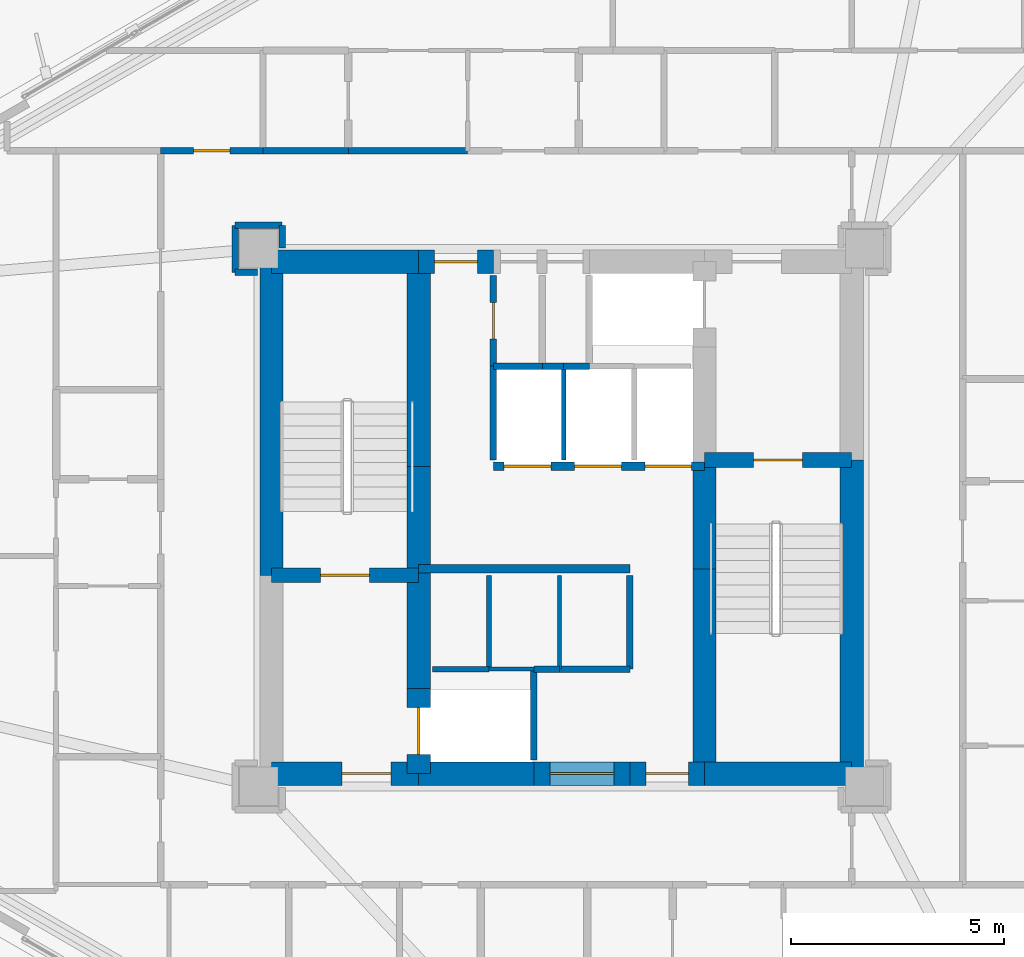
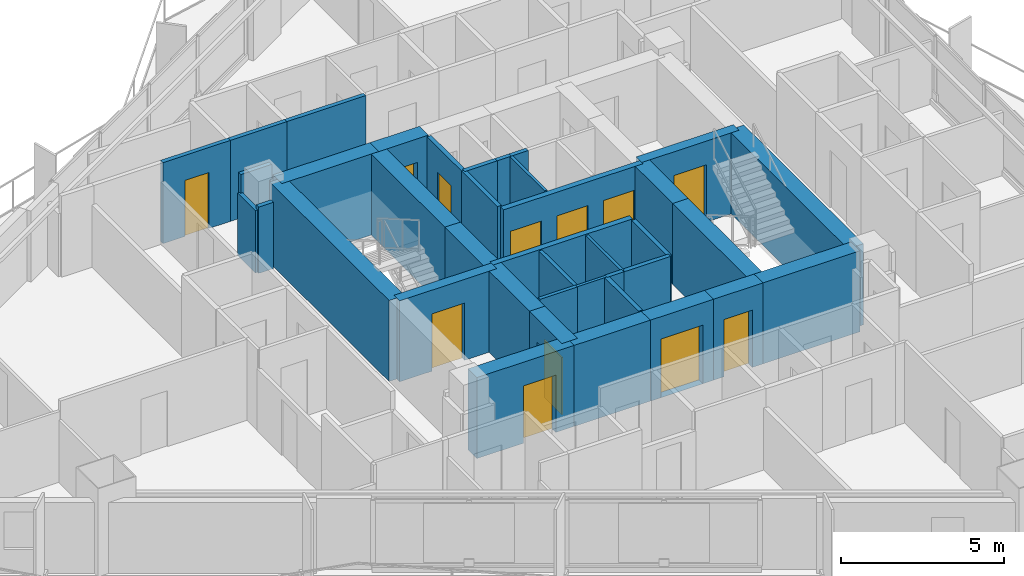
# One storey, part 14 of 19: 40 walls, 12 doors, 12 openings.
"""IFC4 building model written with IfcOpenShell, lengths in metres."""

from ifc_helpers import new_model, si_unit, direction, frame, frame_2d, origin, place, context, subcontext, project, spatial, rectangle, extrude, material, layer, layer_set, type_object, element, fill, save


model = new_model("IFC4")

# Units and contexts
model_context = context("Model", 3, precision=1e-05, world=origin(), true_north=direction((0.0, 1.0)))
body_context = subcontext(model_context, "Body", "Model", "MODEL_VIEW")
ifc_project = project(units=[si_unit("LENGTHUNIT", "METRE"), si_unit("AREAUNIT", "SQUARE_METRE"), si_unit("VOLUMEUNIT", "CUBIC_METRE"), si_unit("PLANEANGLEUNIT", "RADIAN"), si_unit("MASSUNIT", "GRAM", prefix="KILO")], contexts=[model_context])

# Site, building, storey
site_placement = place(None, origin())
site = spatial("IfcSite", under=ifc_project, at=site_placement, CompositionType="ELEMENT")
building_placement = place(site_placement, origin())
building = spatial("IfcBuilding", under=site, at=building_placement, Name="Mersakhor Tower and Convention Hall", CompositionType="ELEMENT")
storey_placement = place(building_placement, frame((0.0, 0.0, 22.5)))
storey = spatial("IfcBuildingStorey", under=building, at=storey_placement, Name="L05", CompositionType="ELEMENT", Elevation=22.5)

# Walls
ifc_material_1 = material(Name="Lightweight gypsum partition", Category="other")
ifc_layer_1 = layer(ifc_material_1, 0.10009765625)
ifc_layer_set_1 = layer_set([ifc_layer_1], Name="Lightweight gypsum partition")
wall_type_1 = type_object("IfcWallType", Name="WL-PRT-100", PredefinedType="PARTITIONING", material=ifc_layer_set_1)
wall_1_placement = place(storey_placement, frame((27.300048828125, 23.199951171875, 0.0), z_axis=(0.0, 0.0, 1.0), x_axis=(1.0, 0.0, 0.0)))
element("IfcWall", 1, at=wall_1_placement, inside=storey, type_object=wall_type_1, Name="L05 Interior Partition Wall P-002", PredefinedType="PARTITIONING", context=body_context, shape_type="SweptSolid", body=[
    extrude(rectangle(XDim=1.050048828125, YDim=0.10009765625, at=frame_2d((0.52490234375, 0.0))), origin(), (0.0, 0.0, 1.0), 3.0400390625),
])
for number, where, z_axis, x_axis, name in (
    (2, (28.949951171875, 25.39990234375, 0.0), (0.0, 0.0, 1.0), (0.0, -1.0, 0.0), "L05 Interior Partition Wall P-008"),
    (3, (29.050048828125, 30.300048828125, 0.0), (0.0, 0.0, 1.0), (0.0, -1.0, 0.0), "L05 Interior Partition Wall P-014"),
):
    element("IfcWall", number, at=place(storey_placement, frame(where, z_axis=z_axis, x_axis=x_axis)), inside=storey, type_object=wall_type_1, Name=name, PredefinedType="PARTITIONING", context=body_context, shape_type="SweptSolid", body=[
        extrude(rectangle(XDim=2.199951171875, YDim=0.10009765625, at=frame_2d((1.10009765625, 0.0))), origin(), (0.0, 0.0, 1.0), 3.0400390625),
    ])
ifc_material_2 = material(Name="Gypsum board acoustic partition", Category="other")
ifc_layer_2 = layer(ifc_material_2, 0.125)
ifc_layer_set_2 = layer_set([ifc_layer_2], Name="Gypsum board acoustic partition")
wall_type_2 = type_object("IfcWallType", Name="WL-PRT-125", PredefinedType="PARTITIONING", material=ifc_layer_set_2)
wall_2_placement = place(storey_placement, frame((25.97509765625, 23.199951171875, 0.0), z_axis=(0.0, 0.0, 1.0), x_axis=(1.0, 0.0, 0.0)))
element("IfcWall", 4, at=wall_2_placement, inside=storey, type_object=wall_type_2, Name="L05 Interior Partition Wall P-001", PredefinedType="PARTITIONING", context=body_context, shape_type="SweptSolid", body=[
    extrude(rectangle(XDim=1.324951171875, YDim=0.125, at=frame_2d((0.66259765625, 0.0))), origin(), (0.0, 0.0, 1.0), 3.0400390625),
])
wall_3_placement = place(storey_placement, frame((27.300048828125, 25.39990234375, 0.0), z_axis=(0.0, 0.0, 1.0), x_axis=(0.0, -1.0, 0.0)))
element("IfcWall", 5, at=wall_3_placement, inside=storey, type_object=wall_type_2, Name="L05 Interior Partition Wall P-007", PredefinedType="PARTITIONING", context=body_context, shape_type="SweptSolid", body=[
    extrude(rectangle(XDim=2.199951171875, YDim=0.125, at=frame_2d((1.10009765625, 0.0))), origin(), (0.0, 0.0, 1.0), 3.0400390625),
])
ifc_material_3 = material(Name="Fire-rated gypsum board stud partition", Category="other")
ifc_layer_3 = layer(ifc_material_3, 0.14990234375)
ifc_layer_set_3 = layer_set([ifc_layer_3], Name="Fire-rated gypsum board stud partition")
wall_type_3 = type_object("IfcWallType", Name="WL-PRT-150", PredefinedType="PARTITIONING", material=ifc_layer_set_3)
wall_4_placement = place(storey_placement, frame((28.35009765625, 23.199951171875, 0.0), z_axis=(0.0, 0.0, 1.0), x_axis=(0.0, -1.0, 0.0)))
element("IfcWall", 6, at=wall_4_placement, inside=storey, type_object=wall_type_3, Name="L05 Interior Partition Wall P-003", PredefinedType="PARTITIONING", context=body_context, shape_type="SweptSolid", body=[
    extrude(rectangle(XDim=2.125, YDim=0.14990234375, at=frame_2d((1.0625, 0.0))), origin(), (0.0, 0.0, 1.0), 3.0400390625),
])
wall_5_placement = place(storey_placement, frame((28.949951171875, 23.199951171875, 0.0), z_axis=(0.0, 0.0, 1.0), x_axis=(-1.0, 0.0, 0.0)))
element("IfcWall", 7, at=wall_5_placement, inside=storey, type_object=wall_type_3, Name="L05 Interior Partition Wall P-009", PredefinedType="PARTITIONING", context=body_context, shape_type="SweptSolid", body=[
    extrude(rectangle(XDim=0.599853515625, YDim=0.14990234375, at=frame_2d((0.2998046875, 0.0))), origin(), (0.0, 0.0, 1.0), 3.0400390625),
])
wall_6_placement = place(storey_placement, frame((30.60009765625, 25.39990234375, 0.0), z_axis=(0.0, 0.0, 1.0), x_axis=(0.0, -1.0, 0.0)))
element("IfcWall", 8, at=wall_6_placement, inside=storey, type_object=wall_type_3, Name="L05 Interior Partition Wall P-010", PredefinedType="PARTITIONING", context=body_context, shape_type="SweptSolid", body=[
    extrude(rectangle(XDim=2.199951171875, YDim=0.14990234375, at=frame_2d((1.10009765625, 0.0))), origin(), (0.0, 0.0, 1.0), 3.0400390625),
])
wall_7_placement = place(storey_placement, frame((30.60009765625, 23.199951171875, 0.0), z_axis=(0.0, 0.0, 1.0), x_axis=(-1.0, 0.0, 0.0)))
element("IfcWall", 9, at=wall_7_placement, inside=storey, type_object=wall_type_3, Name="L05 Interior Partition Wall P-011", PredefinedType="PARTITIONING", context=body_context, shape_type="SweptSolid", body=[
    extrude(rectangle(XDim=1.650146484375, YDim=0.14990234375, at=frame_2d((0.8251953125, 0.0))), origin(), (0.0, 0.0, 1.0), 3.0400390625),
])
wall_8_placement = place(storey_placement, frame((27.39990234375, 30.300048828125, 0.0), z_axis=(0.0, 0.0, 1.0), x_axis=(1.0, 0.0, 0.0)))
element("IfcWall", 10, at=wall_8_placement, inside=storey, type_object=wall_type_3, Name="L05 Interior Partition Wall P-012", PredefinedType="PARTITIONING", context=body_context, shape_type="SweptSolid", body=[
    extrude(rectangle(XDim=1.150146484375, YDim=0.14990234375, at=frame_2d((0.5751953125, 0.0))), origin(), (0.0, 0.0, 1.0), 3.0400390625),
])
wall_9_placement = place(storey_placement, frame((28.550048828125, 30.300048828125, 0.0), z_axis=(0.0, 0.0, 1.0), x_axis=(1.0, 0.0, 0.0)))
element("IfcWall", 11, at=wall_9_placement, inside=storey, type_object=wall_type_3, Name="L05 Interior Partition Wall P-013", PredefinedType="PARTITIONING", context=body_context, shape_type="SweptSolid", body=[
    extrude(rectangle(XDim=0.5, YDim=0.14990234375, at=frame_2d((0.25, 0.0))), origin(), (0.0, 0.0, 1.0), 3.0400390625),
])
wall_10_placement = place(storey_placement, frame((27.39990234375, 28.10009765625, 0.0), z_axis=(0.0, 0.0, 1.0), x_axis=(0.0, 1.0, 0.0)))
element("IfcWall", 12, at=wall_10_placement, inside=storey, type_object=wall_type_3, Name="L05 Interior Partition Wall P-015", PredefinedType="PARTITIONING", context=body_context, shape_type="SweptSolid", body=[
    extrude(rectangle(XDim=2.199951171875, YDim=0.14990234375, at=frame_2d((1.10009765625, 0.0))), origin(), (0.0, 0.0, 1.0), 3.0400390625),
])
wall_11_placement = place(storey_placement, frame((29.050048828125, 30.300048828125, 0.0), z_axis=(0.0, 0.0, 1.0), x_axis=(1.0, 0.0, 0.0)))
element("IfcWall", 13, at=wall_11_placement, inside=storey, type_object=wall_type_3, Name="L05 Interior Partition Wall P-016", PredefinedType="PARTITIONING", context=body_context, shape_type="SweptSolid", body=[
    extrude(rectangle(XDim=0.599853515625, YDim=0.14990234375, at=frame_2d((0.2998046875, 0.0))), origin(), (0.0, 0.0, 1.0), 3.0400390625),
])

# Wall, opening, door
wall_12_placement = place(storey_placement, frame((27.39990234375, 32.425048828125, 0.0), z_axis=(0.0, 0.0, 1.0), x_axis=(0.0, -1.0, 0.0)))
wall_12 = element("IfcWall", 14, at=wall_12_placement, inside=storey, type_object=wall_type_3, Name="L05 Interior Partition Wall P-018", PredefinedType="PARTITIONING", context=body_context, shape_type="SweptSolid", body=[
    extrude(rectangle(XDim=2.125, YDim=0.14990234375, at=frame_2d((1.0625, 0.0))), origin(), (0.0, 0.0, 1.0), 3.0400390625),
])
opening_1_placement = place(wall_12_placement, frame((0.637451171875, 0.0, 0.0)))
opening_1 = element("IfcOpeningElement", 15, at=opening_1_placement, cuts=wall_12, Name="Opening SVD-01", PredefinedType="OPENING", context=body_context, shape_type="SweptSolid", body=[
    extrude(rectangle(XDim=0.85009765625, YDim=2.10009765625, at=frame_2d((0.425048828125, 1.050048828125))), frame((0.0, 0.0849609375, 0.0), z_axis=(0.0, -1.0, 0.0), x_axis=(1.0, 0.0, 0.0)), (0.0, 0.0, 1.0), 0.169921875),
])
ifc_material_4 = material(Name="Fire-rated hardwood leaf and painted steel frame", Category="steel")
door_type_1 = type_object("IfcDoorType", Name="DR-INT-SVC-085x210", OperationType="NOTDEFINED", PredefinedType="DOOR", material=ifc_material_4)
door_1_placement = place(opening_1_placement, origin())
door_1 = element("IfcDoor", 16, at=door_1_placement, inside=storey, type_object=door_type_1, Name="L05 Central Passenger Lift Lobby to Telecoms Distribution Room Door", OperationType="SINGLE_SWING_RIGHT", OverallHeight=2.10009765625, OverallWidth=0.85009765625, PredefinedType="DOOR", context=body_context, shape_type="SweptSolid", body=[
    extrude(rectangle(XDim=0.85009765625, YDim=2.10009765625, at=frame_2d((0.425048828125, 1.050048828125))), frame((0.0, 0.02490234375, 0.0), z_axis=(0.0, -1.0, 0.0), x_axis=(1.0, 0.0, 0.0)), (0.0, 0.0, 1.0), 0.050048828125),
])
fill(opening_1, door_1)

wall_13_placement = place(storey_placement, frame((19.60009765625, 35.35009765625, 0.0), z_axis=(0.0, 0.0, 1.0), x_axis=(1.0, 0.0, 0.0)))
wall_13 = element("IfcWall", 17, at=wall_13_placement, inside=storey, type_object=wall_type_3, Name="L05 Interior Partition Wall P-037", PredefinedType="PARTITIONING", context=body_context, shape_type="SweptSolid", body=[
    extrude(rectangle(XDim=2.39990234375, YDim=0.14990234375, at=frame_2d((1.199951171875, 0.0))), origin(), (0.0, 0.0, 1.0), 3.0400390625),
])
opening_2_placement = place(wall_13_placement, frame((0.77490234375, 0.0, 0.0)))
opening_2 = element("IfcOpeningElement", 18, at=opening_2_placement, cuts=wall_13, Name="Opening SVD-01", PredefinedType="OPENING", context=body_context, shape_type="SweptSolid", body=[
    extrude(rectangle(XDim=0.85009765625, YDim=2.10009765625, at=frame_2d((0.425048828125, 1.050048828125))), frame((0.0, 0.0849609375, 0.0), z_axis=(0.0, -1.0, 0.0), x_axis=(1.0, 0.0, 0.0)), (0.0, 0.0, 1.0), 0.169921875),
])
door_2_placement = place(opening_2_placement, origin())
door_2 = element("IfcDoor", 19, at=door_2_placement, inside=storey, type_object=door_type_1, Name="L05 Residential Ring Corridor to L05 North-West Household Store Room Door", OperationType="SINGLE_SWING_RIGHT", OverallHeight=2.10009765625, OverallWidth=0.85009765625, PredefinedType="DOOR", context=body_context, shape_type="SweptSolid", body=[
    extrude(rectangle(XDim=0.85009765625, YDim=2.10009765625, at=frame_2d((0.425048828125, 1.050048828125))), frame((0.0, 0.02490234375, 0.0), z_axis=(0.0, -1.0, 0.0), x_axis=(1.0, 0.0, 0.0)), (0.0, 0.0, 1.0), 0.050048828125),
])
fill(opening_2, door_2)

# Walls
wall_14_placement = place(storey_placement, frame((22.0, 35.35009765625, 0.0), z_axis=(0.0, 0.0, 1.0), x_axis=(1.0, 0.0, 0.0)))
element("IfcWall", 20, at=wall_14_placement, inside=storey, type_object=wall_type_3, Name="L05 Interior Partition Wall P-038", PredefinedType="PARTITIONING", context=body_context, shape_type="SweptSolid", body=[
    extrude(rectangle(XDim=2.0, YDim=0.14990234375, at=frame_2d((1.0, 0.0))), origin(), (0.0, 0.0, 1.0), 3.0400390625),
])
wall_15_placement = place(storey_placement, frame((24.0, 35.35009765625, 0.0), z_axis=(0.0, 0.0, 1.0), x_axis=(1.0, 0.0, 0.0)))
element("IfcWall", 21, at=wall_15_placement, inside=storey, type_object=wall_type_3, Name="L05 Interior Partition Wall P-039", PredefinedType="PARTITIONING", context=body_context, shape_type="SweptSolid", body=[
    extrude(rectangle(XDim=2.800048828125, YDim=0.14990234375, at=frame_2d((1.39990234375, 0.0))), origin(), (0.0, 0.0, 1.0), 3.0400390625),
])
wall_16_placement = place(storey_placement, frame((22.449951171875, 33.074951171875, 0.0), z_axis=(0.0, 0.0, 1.0), x_axis=(0.0, 1.0, 0.0)))
element("IfcWall", 22, at=wall_16_placement, inside=storey, type_object=wall_type_3, Name="L05 Interior Partition Wall P-047", PredefinedType="PARTITIONING", context=body_context, shape_type="SweptSolid", body=[
    extrude(rectangle(XDim=0.525146484375, YDim=0.14990234375, at=frame_2d((0.2626953125, 0.0))), origin(), (0.0, 0.0, 1.0), 2.48828125),
])
wall_17_placement = place(storey_placement, frame((22.449951171875, 33.60009765625, 0.0), z_axis=(0.0, 0.0, 1.0), x_axis=(-1.0, 0.0, 0.0)))
element("IfcWall", 23, at=wall_17_placement, inside=storey, type_object=wall_type_3, Name="L05 Interior Partition Wall P-048", PredefinedType="PARTITIONING", context=body_context, shape_type="SweptSolid", body=[
    extrude(rectangle(XDim=1.099853515625, YDim=0.14990234375, at=frame_2d((0.5498046875, 0.0))), origin(), (0.0, 0.0, 1.0), 3.0400390625),
])
wall_18_placement = place(storey_placement, frame((21.35009765625, 33.60009765625, 0.0), z_axis=(0.0, 0.0, 1.0), x_axis=(0.0, -1.0, 0.0)))
element("IfcWall", 24, at=wall_18_placement, inside=storey, type_object=wall_type_3, Name="L05 Interior Partition Wall P-049", PredefinedType="PARTITIONING", context=body_context, shape_type="SweptSolid", body=[
    extrude(rectangle(XDim=1.10009765625, YDim=0.14990234375, at=frame_2d((0.550048828125, 0.0))), origin(), (0.0, 0.0, 1.0), 2.33740234375),
])
wall_19_placement = place(storey_placement, frame((21.35009765625, 32.5, 0.0), z_axis=(0.0, 0.0, 1.0), x_axis=(1.0, 0.0, 0.0)))
element("IfcWall", 25, at=wall_19_placement, inside=storey, type_object=wall_type_3, Name="L05 Interior Partition Wall P-050", PredefinedType="PARTITIONING", context=body_context, shape_type="SweptSolid", body=[
    extrude(rectangle(XDim=0.52490234375, YDim=0.14990234375, at=frame_2d((0.262451171875, 0.0))), origin(), (0.0, 0.0, 1.0), 2.48828125),
])
ifc_material_5 = material(Name="Acoustic concrete blockwork and gypsum board", Category="masonry")
ifc_layer_4 = layer(ifc_material_5, 0.199951171875)
ifc_layer_set_4 = layer_set([ifc_layer_4], Name="Acoustic concrete blockwork and gypsum board")
wall_type_4 = type_object("IfcWallType", Name="WL-PRT-200", PredefinedType="PARTITIONING", material=ifc_layer_set_4)
wall_20_placement = place(storey_placement, frame((25.64990234375, 25.550048828125, 0.0), z_axis=(0.0, 0.0, 1.0), x_axis=(1.0, 0.0, 0.0)))
element("IfcWall", 26, at=wall_20_placement, inside=storey, type_object=wall_type_4, Name="L05 High-Rise Lift Bank Front Wall", PredefinedType="PARTITIONING", context=body_context, shape_type="SweptSolid", body=[
    extrude(rectangle(XDim=4.9501953125, YDim=0.199951171875, at=frame_2d((2.47509765625, 0.0))), origin(), (0.0, 0.0, 1.0), 3.0400390625),
])

# Wall, openings, doors
wall_21_placement = place(storey_placement, frame((27.39990234375, 27.949951171875, 0.0), z_axis=(0.0, 0.0, 1.0), x_axis=(1.0, 0.0, 0.0)))
wall_21 = element("IfcWall", 27, at=wall_21_placement, inside=storey, type_object=wall_type_4, Name="L05 Low-Rise Lift Bank Front Wall", PredefinedType="PARTITIONING", context=body_context, shape_type="SweptSolid", body=[
    extrude(rectangle(XDim=4.9501953125, YDim=0.199951171875, at=frame_2d((2.47509765625, 0.0))), origin(), (0.0, 0.0, 1.0), 3.0400390625),
])
opening_3_placement = place(wall_21_placement, frame((0.25, 0.0, 0.0)))
opening_3 = element("IfcOpeningElement", 28, at=opening_3_placement, cuts=wall_21, Name="Opening LD-P1", PredefinedType="OPENING", context=body_context, shape_type="SweptSolid", body=[
    extrude(rectangle(XDim=1.10009765625, YDim=2.14990234375, at=frame_2d((0.550048828125, 1.074951171875))), frame((0.0, 0.10986328125, 0.0), z_axis=(0.0, -1.0, 0.0), x_axis=(1.0, 0.0, 0.0)), (0.0, 0.0, 1.0), 0.219970703125),
])
opening_4_placement = place(wall_21_placement, frame((1.89990234375, 0.0, 0.0)))
opening_4 = element("IfcOpeningElement", 29, at=opening_4_placement, cuts=wall_21, Name="Opening LD-P2", PredefinedType="OPENING", context=body_context, shape_type="SweptSolid", body=[
    extrude(rectangle(XDim=1.10009765625, YDim=2.14990234375, at=frame_2d((0.550048828125, 1.074951171875))), frame((0.0, 0.10986328125, 0.0), z_axis=(0.0, -1.0, 0.0), x_axis=(1.0, 0.0, 0.0)), (0.0, 0.0, 1.0), 0.219970703125),
])
opening_5_placement = place(wall_21_placement, frame((3.550048828125, 0.0, 0.0)))
opening_5 = element("IfcOpeningElement", 30, at=opening_5_placement, cuts=wall_21, Name="Opening LD-P3", PredefinedType="OPENING", context=body_context, shape_type="SweptSolid", body=[
    extrude(rectangle(XDim=1.10009765625, YDim=2.14990234375, at=frame_2d((0.550048828125, 1.074951171875))), frame((0.0, 0.10986328125, 0.0), z_axis=(0.0, -1.0, 0.0), x_axis=(1.0, 0.0, 0.0)), (0.0, 0.0, 1.0), 0.219970703125),
])
ifc_material_6 = material(Name="Fire-rated brushed stainless steel sliding landing door", Category="steel")
door_type_2 = type_object("IfcDoorType", Name="DR-LIFT-SLD-110x215", OperationType="NOTDEFINED", PredefinedType="DOOR", material=ifc_material_6)
door_3_placement = place(opening_3_placement, origin())
door_3 = element("IfcDoor", 31, at=door_3_placement, inside=storey, type_object=door_type_2, Name="L05 Lift Landing Door LD-P1", OperationType="SLIDING_TO_LEFT", OverallHeight=2.14990234375, OverallWidth=1.10009765625, PredefinedType="DOOR", context=body_context, shape_type="SweptSolid", body=[
    extrude(rectangle(XDim=1.10009765625, YDim=2.14990234375, at=frame_2d((0.550048828125, 1.074951171875))), frame((0.0, 0.02490234375, 0.0), z_axis=(0.0, -1.0, 0.0), x_axis=(1.0, 0.0, 0.0)), (0.0, 0.0, 1.0), 0.050048828125),
])
fill(opening_3, door_3)
door_4_placement = place(opening_4_placement, origin())
door_4 = element("IfcDoor", 32, at=door_4_placement, inside=storey, type_object=door_type_2, Name="L05 Lift Landing Door LD-P2", OperationType="SLIDING_TO_LEFT", OverallHeight=2.14990234375, OverallWidth=1.10009765625, PredefinedType="DOOR", context=body_context, shape_type="SweptSolid", body=[
    extrude(rectangle(XDim=1.10009765625, YDim=2.14990234375, at=frame_2d((0.550048828125, 1.074951171875))), frame((0.0, 0.02490234375, 0.0), z_axis=(0.0, -1.0, 0.0), x_axis=(1.0, 0.0, 0.0)), (0.0, 0.0, 1.0), 0.050048828125),
])
fill(opening_4, door_4)
door_5_placement = place(opening_5_placement, origin())
door_5 = element("IfcDoor", 33, at=door_5_placement, inside=storey, type_object=door_type_2, Name="L05 Lift Landing Door LD-P3", OperationType="SLIDING_TO_LEFT", OverallHeight=2.14990234375, OverallWidth=1.10009765625, PredefinedType="DOOR", context=body_context, shape_type="SweptSolid", body=[
    extrude(rectangle(XDim=1.10009765625, YDim=2.14990234375, at=frame_2d((0.550048828125, 1.074951171875))), frame((0.0, 0.02490234375, 0.0), z_axis=(0.0, -1.0, 0.0), x_axis=(1.0, 0.0, 0.0)), (0.0, 0.0, 1.0), 0.050048828125),
])
fill(opening_5, door_5)

# Wall, opening, door
ifc_material_7 = material(Name="Concrete C50/60", Category="concrete")
ifc_layer_5 = layer(ifc_material_7, 0.35009765625)
ifc_layer_set_5 = layer_set([ifc_layer_5], Name="Concrete C50/60")
wall_type_5 = type_object("IfcWallType", Name="WL-SHR-350", PredefinedType="SHEAR", material=ifc_layer_set_5)
wall_22_placement = place(storey_placement, frame((22.199951171875, 25.39990234375, 0.0), z_axis=(0.0, 0.0, 1.0), x_axis=(1.0, 0.0, 0.0)))
wall_22 = element("IfcWall", 34, at=wall_22_placement, inside=storey, type_object=wall_type_5, Name="L05 Core Wall CS-ST1-S", PredefinedType="SHEAR", context=body_context, shape_type="SweptSolid", body=[
    extrude(rectangle(XDim=3.449951171875, YDim=0.35009765625, at=frame_2d((1.72509765625, 0.0))), origin(), (0.0, 0.0, 1.0), 3.0400390625),
])
opening_6_placement = place(wall_22_placement, frame((1.14990234375, 0.0, 0.0)))
opening_6 = element("IfcOpeningElement", 35, at=opening_6_placement, cuts=wall_22, Name="Opening SD-01", PredefinedType="OPENING", context=body_context, shape_type="SweptSolid", body=[
    extrude(rectangle(XDim=1.14990234375, YDim=2.14990234375, at=frame_2d((0.574951171875, 1.074951171875))), frame((0.0, 0.18505859375, 0.0), z_axis=(0.0, -1.0, 0.0), x_axis=(1.0, 0.0, 0.0)), (0.0, 0.0, 1.0), 0.3701171875),
])
ifc_material_8 = material(Name="Fire-rated hardwood leaf and painted steel frame", Category="steel")
door_type_3 = type_object("IfcDoorType", Name="DR-INT-STAIR-115x215", OperationType="NOTDEFINED", PredefinedType="DOOR", material=ifc_material_8)
door_6_placement = place(opening_6_placement, origin())
door_6 = element("IfcDoor", 36, at=door_6_placement, inside=storey, type_object=door_type_3, Name="L05 Exit Stair ST-1 Enclosure Door", OperationType="SINGLE_SWING_LEFT", OverallHeight=2.14990234375, OverallWidth=1.14990234375, PredefinedType="DOOR", context=body_context, shape_type="SweptSolid", body=[
    extrude(rectangle(XDim=1.14990234375, YDim=2.14990234375, at=frame_2d((0.574951171875, 1.074951171875))), frame((0.0, 0.02490234375, 0.0), z_axis=(0.0, -1.0, 0.0), x_axis=(1.0, 0.0, 0.0)), (0.0, 0.0, 1.0), 0.050048828125),
])
fill(opening_6, door_6)

wall_23_placement = place(storey_placement, frame((32.35009765625, 28.10009765625, 0.0), z_axis=(0.0, 0.0, 1.0), x_axis=(1.0, 0.0, 0.0)))
wall_23 = element("IfcWall", 37, at=wall_23_placement, inside=storey, type_object=wall_type_5, Name="L05 Core Wall CS-ST2-N", PredefinedType="SHEAR", context=body_context, shape_type="SweptSolid", body=[
    extrude(rectangle(XDim=3.449951171875, YDim=0.35009765625, at=frame_2d((1.72509765625, 0.0))), origin(), (0.0, 0.0, 1.0), 3.0400390625),
])
opening_7_placement = place(wall_23_placement, frame((1.14990234375, 0.0, 0.0)))
opening_7 = element("IfcOpeningElement", 38, at=opening_7_placement, cuts=wall_23, Name="Opening SD-01", PredefinedType="OPENING", context=body_context, shape_type="SweptSolid", body=[
    extrude(rectangle(XDim=1.14990234375, YDim=2.14990234375, at=frame_2d((0.574951171875, 1.074951171875))), frame((0.0, 0.18505859375, 0.0), z_axis=(0.0, -1.0, 0.0), x_axis=(1.0, 0.0, 0.0)), (0.0, 0.0, 1.0), 0.3701171875),
])
door_7_placement = place(opening_7_placement, origin())
door_7 = element("IfcDoor", 39, at=door_7_placement, inside=storey, type_object=door_type_3, Name="L05 Exit Stair ST-2 Enclosure Door", OperationType="SINGLE_SWING_RIGHT", OverallHeight=2.14990234375, OverallWidth=1.14990234375, PredefinedType="DOOR", context=body_context, shape_type="SweptSolid", body=[
    extrude(rectangle(XDim=1.14990234375, YDim=2.14990234375, at=frame_2d((0.574951171875, 1.074951171875))), frame((0.0, 0.02490234375, 0.0), z_axis=(0.0, -1.0, 0.0), x_axis=(1.0, 0.0, 0.0)), (0.0, 0.0, 1.0), 0.050048828125),
])
fill(opening_7, door_7)

# Walls
ifc_material_9 = material(Name="Concrete C70/85", Category="concrete")
ifc_layer_6 = layer(ifc_material_9, 0.550048828125)
ifc_layer_set_6 = layer_set([ifc_layer_6], Name="Concrete C70/85")
wall_type_6 = type_object("IfcWallType", Name="WL-SHR-550", PredefinedType="SHEAR", material=ifc_layer_set_6)
wall_24_placement = place(storey_placement, frame((22.199951171875, 25.39990234375, 0.0), z_axis=(0.0, 0.0, 1.0), x_axis=(0.0, 1.0, 0.0)))
element("IfcWall", 40, at=wall_24_placement, inside=storey, type_object=wall_type_6, Name="L05 Core Wall CW-W2", PredefinedType="SHEAR", context=body_context, shape_type="SweptSolid", body=[
    extrude(rectangle(XDim=7.35009765625, YDim=0.550048828125, at=frame_2d((3.675048828125, 0.0))), origin(), (0.0, 0.0, 1.0), 3.0400390625),
])
wall_25_placement = place(storey_placement, frame((22.199951171875, 32.75, 0.0), z_axis=(0.0, 0.0, 1.0), x_axis=(1.0, 0.0, 0.0)))
element("IfcWall", 41, at=wall_25_placement, inside=storey, type_object=wall_type_6, Name="L05 Core Wall CW-N1", PredefinedType="SHEAR", context=body_context, shape_type="SweptSolid", body=[
    extrude(rectangle(XDim=3.449951171875, YDim=0.550048828125, at=frame_2d((1.72509765625, 0.0))), origin(), (0.0, 0.0, 1.0), 3.0400390625),
])

# Wall, opening, door
wall_26_placement = place(storey_placement, frame((25.64990234375, 32.75, 0.0), z_axis=(0.0, 0.0, 1.0), x_axis=(1.0, 0.0, 0.0)))
wall_26 = element("IfcWall", 42, at=wall_26_placement, inside=storey, type_object=wall_type_6, Name="L05 Core Wall CW-N2A", PredefinedType="SHEAR", context=body_context, shape_type="SweptSolid", body=[
    extrude(rectangle(XDim=1.75, YDim=0.550048828125, at=frame_2d((0.875, 0.0))), origin(), (0.0, 0.0, 1.0), 3.0400390625),
])
opening_8_placement = place(wall_26_placement, frame((0.375, 0.0, 0.0)))
opening_8 = element("IfcOpeningElement", 43, at=opening_8_placement, cuts=wall_26, Name="Opening CFD-01", PredefinedType="OPENING", context=body_context, shape_type="SweptSolid", body=[
    extrude(rectangle(XDim=1.0, YDim=2.14990234375, at=frame_2d((0.5, 1.074951171875))), frame((0.0, 0.284912109375, 0.0), z_axis=(0.0, -1.0, 0.0), x_axis=(1.0, 0.0, 0.0)), (0.0, 0.0, 1.0), 0.570068359375),
])
ifc_material_10 = material(Name="Fire-rated hardwood leaf and painted steel frame", Category="steel")
door_type_4 = type_object("IfcDoorType", Name="DR-CORE-FD-100x215", OperationType="NOTDEFINED", PredefinedType="DOOR", material=ifc_material_10)
door_8_placement = place(opening_8_placement, origin())
door_8 = element("IfcDoor", 44, at=door_8_placement, inside=storey, type_object=door_type_4, Name="L05 Lift Lobby North Corridor Door", OperationType="SINGLE_SWING_LEFT", OverallHeight=2.14990234375, OverallWidth=1.0, PredefinedType="DOOR", context=body_context, shape_type="SweptSolid", body=[
    extrude(rectangle(XDim=1.0, YDim=2.14990234375, at=frame_2d((0.5, 1.074951171875))), frame((0.0, 0.02490234375, 0.0), z_axis=(0.0, -1.0, 0.0), x_axis=(1.0, 0.0, 0.0)), (0.0, 0.0, 1.0), 0.050048828125),
])
fill(opening_8, door_8)

# Walls
wall_27_placement = place(storey_placement, frame((35.800048828125, 28.10009765625, 0.0), z_axis=(0.0, 0.0, 1.0), x_axis=(0.0, -1.0, 0.0)))
element("IfcWall", 45, at=wall_27_placement, inside=storey, type_object=wall_type_6, Name="L05 Core Wall CW-E2", PredefinedType="SHEAR", context=body_context, shape_type="SweptSolid", body=[
    extrude(rectangle(XDim=7.35009765625, YDim=0.550048828125, at=frame_2d((3.675048828125, 0.0))), origin(), (0.0, 0.0, 1.0), 3.0400390625),
])
wall_28_placement = place(storey_placement, frame((35.800048828125, 20.75, 0.0), z_axis=(0.0, 0.0, 1.0), x_axis=(-1.0, 0.0, 0.0)))
element("IfcWall", 46, at=wall_28_placement, inside=storey, type_object=wall_type_6, Name="L05 Core Wall CW-S1", PredefinedType="SHEAR", context=body_context, shape_type="SweptSolid", body=[
    extrude(rectangle(XDim=3.449951171875, YDim=0.550048828125, at=frame_2d((1.72509765625, 0.0))), origin(), (0.0, 0.0, 1.0), 3.0400390625),
])

# Wall, opening, door
wall_29_placement = place(storey_placement, frame((32.35009765625, 20.75, 0.0), z_axis=(0.0, 0.0, 1.0), x_axis=(-1.0, 0.0, 0.0)))
wall_29 = element("IfcWall", 47, at=wall_29_placement, inside=storey, type_object=wall_type_6, Name="L05 Core Wall CW-S2A", PredefinedType="SHEAR", context=body_context, shape_type="SweptSolid", body=[
    extrude(rectangle(XDim=1.75, YDim=0.550048828125, at=frame_2d((0.875, 0.0))), origin(), (0.0, 0.0, 1.0), 3.0400390625),
])
opening_9_placement = place(wall_29_placement, frame((0.375, 0.0, 0.0)))
opening_9 = element("IfcOpeningElement", 48, at=opening_9_placement, cuts=wall_29, Name="Opening CFD-01", PredefinedType="OPENING", context=body_context, shape_type="SweptSolid", body=[
    extrude(rectangle(XDim=1.0, YDim=2.14990234375, at=frame_2d((0.5, 1.074951171875))), frame((0.0, 0.284912109375, 0.0), z_axis=(0.0, -1.0, 0.0), x_axis=(1.0, 0.0, 0.0)), (0.0, 0.0, 1.0), 0.570068359375),
])
door_9_placement = place(opening_9_placement, origin())
door_9 = element("IfcDoor", 49, at=door_9_placement, inside=storey, type_object=door_type_4, Name="L05 Lift Lobby South Corridor Door", OperationType="SINGLE_SWING_RIGHT", OverallHeight=2.14990234375, OverallWidth=1.0, PredefinedType="DOOR", context=body_context, shape_type="SweptSolid", body=[
    extrude(rectangle(XDim=1.0, YDim=2.14990234375, at=frame_2d((0.5, 1.074951171875))), frame((0.0, 0.02490234375, 0.0), z_axis=(0.0, -1.0, 0.0), x_axis=(1.0, 0.0, 0.0)), (0.0, 0.0, 1.0), 0.050048828125),
])
fill(opening_9, door_9)

wall_30_placement = place(storey_placement, frame((30.60009765625, 20.75, 0.0), z_axis=(0.0, 0.0, 1.0), x_axis=(-1.0, 0.0, 0.0)))
wall_30 = element("IfcWall", 50, at=wall_30_placement, inside=storey, type_object=wall_type_6, Name="L05 Core Wall CW-S2B", PredefinedType="SHEAR", context=body_context, shape_type="SweptSolid", body=[
    extrude(rectangle(XDim=2.25, YDim=0.550048828125, at=frame_2d((1.125, 0.0))), origin(), (0.0, 0.0, 1.0), 3.0400390625),
])
opening_10_placement = place(wall_30_placement, frame((0.375, 0.0, 0.0)))
opening_10 = element("IfcOpeningElement", 51, at=opening_10_placement, cuts=wall_30, Name="Opening LD-LOB", PredefinedType="OPENING", context=body_context, shape_type="SweptSolid", body=[
    extrude(rectangle(XDim=1.5, YDim=2.199951171875, at=frame_2d((0.75, 1.10009765625))), frame((0.0, 0.284912109375, 0.0), z_axis=(0.0, -1.0, 0.0), x_axis=(1.0, 0.0, 0.0)), (0.0, 0.0, 1.0), 0.570068359375),
])
ifc_material_11 = material(Name="Fire-rated hardwood leaf and painted steel frame", Category="steel")
door_type_5 = type_object("IfcDoorType", Name="DR-INT-LOB-150x220", OperationType="NOTDEFINED", PredefinedType="DOOR", material=ifc_material_11)
door_10_placement = place(opening_10_placement, origin())
door_10 = element("IfcDoor", 52, at=door_10_placement, inside=storey, type_object=door_type_5, Name="L05 Central Passenger Lift Lobby to Residential Ring Corridor Door", OperationType="DOUBLE_DOOR_SINGLE_SWING", OverallHeight=2.199951171875, OverallWidth=1.5, PredefinedType="DOOR", context=body_context, shape_type="SweptSolid", body=[
    extrude(rectangle(XDim=1.5, YDim=2.199951171875, at=frame_2d((0.75, 1.10009765625))), frame((0.0, 0.02490234375, 0.0), z_axis=(0.0, -1.0, 0.0), x_axis=(1.0, 0.0, 0.0)), (0.0, 0.0, 1.0), 0.050048828125),
])
fill(opening_10, door_10)

# Wall
wall_31_placement = place(storey_placement, frame((28.35009765625, 20.75, 0.0), z_axis=(0.0, 0.0, 1.0), x_axis=(-1.0, 0.0, 0.0)))
element("IfcWall", 53, at=wall_31_placement, inside=storey, type_object=wall_type_6, Name="L05 Core Wall CW-S3", PredefinedType="SHEAR", context=body_context, shape_type="SweptSolid", body=[
    extrude(rectangle(XDim=2.7001953125, YDim=0.550048828125, at=frame_2d((1.35009765625, 0.0))), origin(), (0.0, 0.0, 1.0), 3.0400390625),
])

# Wall, opening, door
wall_32_placement = place(storey_placement, frame((25.64990234375, 20.75, 0.0), z_axis=(0.0, 0.0, 1.0), x_axis=(-1.0, 0.0, 0.0)))
wall_32 = element("IfcWall", 54, at=wall_32_placement, inside=storey, type_object=wall_type_6, Name="L05 Core Wall CW-S4", PredefinedType="SHEAR", context=body_context, shape_type="SweptSolid", body=[
    extrude(rectangle(XDim=3.449951171875, YDim=0.550048828125, at=frame_2d((1.72509765625, 0.0))), origin(), (0.0, 0.0, 1.0), 3.0400390625),
])
opening_11_placement = place(wall_32_placement, frame((0.64990234375, 0.0, 0.0)))
opening_11 = element("IfcOpeningElement", 55, at=opening_11_placement, cuts=wall_32, Name="Opening SD-01", PredefinedType="OPENING", context=body_context, shape_type="SweptSolid", body=[
    extrude(rectangle(XDim=1.14990234375, YDim=2.14990234375, at=frame_2d((0.574951171875, 1.074951171875))), frame((0.0, 0.284912109375, 0.0), z_axis=(0.0, -1.0, 0.0), x_axis=(1.0, 0.0, 0.0)), (0.0, 0.0, 1.0), 0.570068359375),
])
door_11_placement = place(opening_11_placement, origin())
door_11 = element("IfcDoor", 56, at=door_11_placement, inside=storey, type_object=door_type_3, Name="L05 Firefighting Lobby West Fire Door", OperationType="SINGLE_SWING_LEFT", OverallHeight=2.14990234375, OverallWidth=1.14990234375, PredefinedType="DOOR", context=body_context, shape_type="SweptSolid", body=[
    extrude(rectangle(XDim=1.14990234375, YDim=2.14990234375, at=frame_2d((0.574951171875, 1.074951171875))), frame((0.0, 0.02490234375, 0.0), z_axis=(0.0, -1.0, 0.0), x_axis=(1.0, 0.0, 0.0)), (0.0, 0.0, 1.0), 0.050048828125),
])
fill(opening_11, door_11)

wall_33_placement = place(storey_placement, frame((25.64990234375, 20.75, 0.0), z_axis=(0.0, 0.0, 1.0), x_axis=(0.0, 1.0, 0.0)))
wall_33 = element("IfcWall", 57, at=wall_33_placement, inside=storey, type_object=wall_type_6, Name="L05 Core Wall CS-W-FFL", PredefinedType="SHEAR", context=body_context, shape_type="SweptSolid", body=[
    extrude(rectangle(XDim=2.0, YDim=0.550048828125, at=frame_2d((1.0, 0.0))), origin(), (0.0, 0.0, 1.0), 3.0400390625),
])
opening_12_placement = place(wall_33_placement, frame((0.449951171875, 0.0, 0.0)))
opening_12 = element("IfcOpeningElement", 58, at=opening_12_placement, cuts=wall_33, Name="Opening LD-FFL1", PredefinedType="OPENING", context=body_context, shape_type="SweptSolid", body=[
    extrude(rectangle(XDim=1.10009765625, YDim=2.14990234375, at=frame_2d((0.550048828125, 1.074951171875))), frame((0.0, 0.284912109375, 0.0), z_axis=(0.0, -1.0, 0.0), x_axis=(1.0, 0.0, 0.0)), (0.0, 0.0, 1.0), 0.570068359375),
])
door_12_placement = place(opening_12_placement, origin())
door_12 = element("IfcDoor", 59, at=door_12_placement, inside=storey, type_object=door_type_2, Name="L05 Firefighting Lift Landing Door LD-FFL1", OperationType="SLIDING_TO_LEFT", OverallHeight=2.14990234375, OverallWidth=1.10009765625, PredefinedType="DOOR", context=body_context, shape_type="SweptSolid", body=[
    extrude(rectangle(XDim=1.10009765625, YDim=2.14990234375, at=frame_2d((0.550048828125, 1.074951171875))), frame((0.0, 0.02490234375, 0.0), z_axis=(0.0, -1.0, 0.0), x_axis=(1.0, 0.0, 0.0)), (0.0, 0.0, 1.0), 0.050048828125),
])
fill(opening_12, door_12)

# Walls
wall_34_placement = place(storey_placement, frame((25.64990234375, 22.75, 0.0), z_axis=(0.0, 0.0, 1.0), x_axis=(0.0, 1.0, 0.0)))
element("IfcWall", 60, at=wall_34_placement, inside=storey, type_object=wall_type_6, Name="L05 Core Wall CS-W-MID", PredefinedType="SHEAR", context=body_context, shape_type="SweptSolid", body=[
    extrude(rectangle(XDim=2.800048828125, YDim=0.550048828125, at=frame_2d((1.39990234375, 0.0))), origin(), (0.0, 0.0, 1.0), 3.0400390625),
])
wall_35_placement = place(storey_placement, frame((25.64990234375, 25.550048828125, 0.0), z_axis=(0.0, 0.0, 1.0), x_axis=(0.0, 1.0, 0.0)))
element("IfcWall", 61, at=wall_35_placement, inside=storey, type_object=wall_type_6, Name="L05 Core Wall CS-W-LOB", PredefinedType="SHEAR", context=body_context, shape_type="SweptSolid", body=[
    extrude(rectangle(XDim=2.39990234375, YDim=0.550048828125, at=frame_2d((1.199951171875, 0.0))), origin(), (0.0, 0.0, 1.0), 3.0400390625),
])
for number, where, z_axis, x_axis, name in (
    (62, (25.64990234375, 27.949951171875, 0.0), (0.0, 0.0, 1.0), (0.0, 1.0, 0.0), "L05 Core Wall CS-W-ST1"),
    (63, (32.35009765625, 20.75, 0.0), (0.0, 0.0, 1.0), (0.0, 1.0, 0.0), "L05 Core Wall CS-E-ST2"),
):
    element("IfcWall", number, at=place(storey_placement, frame(where, z_axis=z_axis, x_axis=x_axis)), inside=storey, type_object=wall_type_6, Name=name, PredefinedType="SHEAR", context=body_context, shape_type="SweptSolid", body=[
        extrude(rectangle(XDim=4.800048828125, YDim=0.550048828125, at=frame_2d((2.39990234375, 0.0))), origin(), (0.0, 0.0, 1.0), 3.0400390625),
    ])
wall_36_placement = place(storey_placement, frame((32.35009765625, 25.550048828125, 0.0), z_axis=(0.0, 0.0, 1.0), x_axis=(0.0, 1.0, 0.0)))
element("IfcWall", 64, at=wall_36_placement, inside=storey, type_object=wall_type_6, Name="L05 Core Wall CS-E-LOB", PredefinedType="SHEAR", context=body_context, shape_type="SweptSolid", body=[
    extrude(rectangle(XDim=2.39990234375, YDim=0.550048828125, at=frame_2d((1.199951171875, 0.0))), origin(), (0.0, 0.0, 1.0), 3.0400390625),
])

save(model, "model.ifc")
